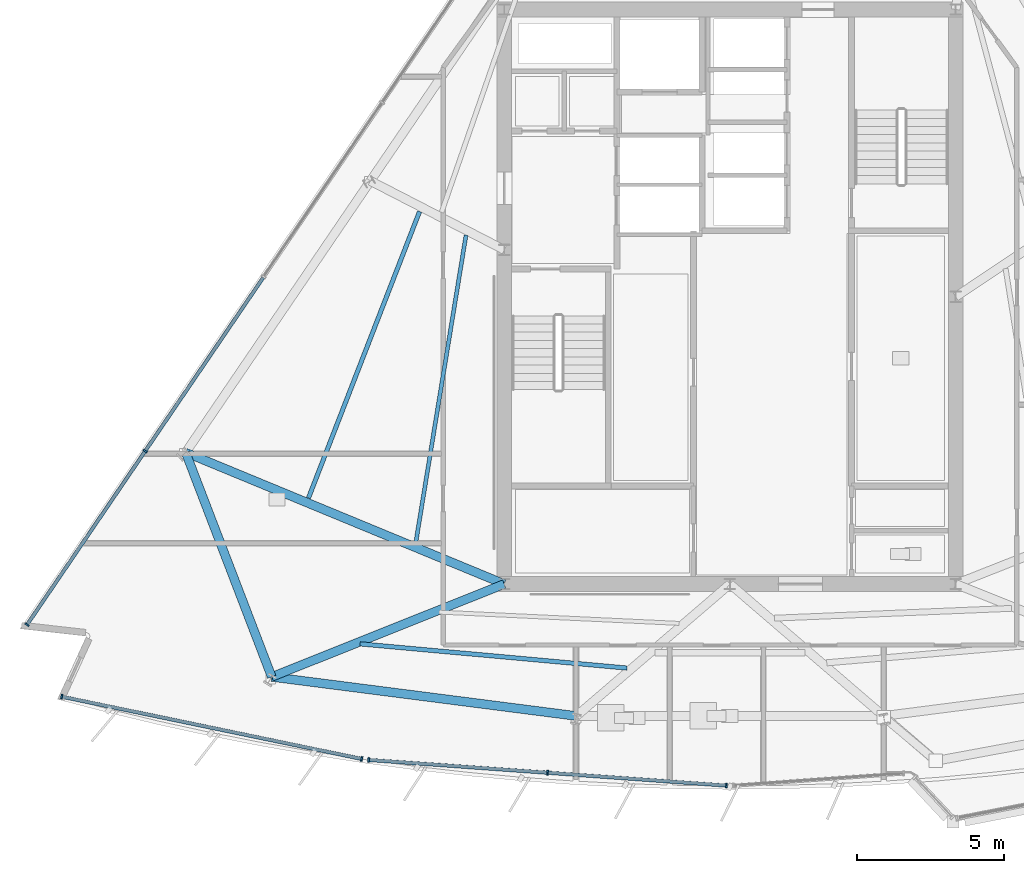
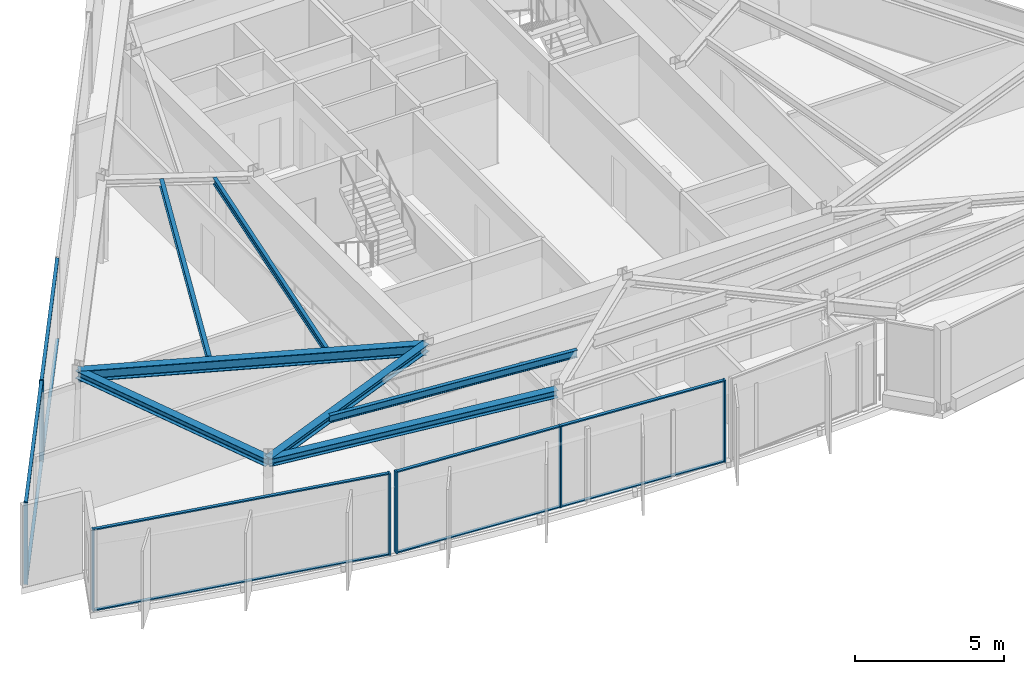
# One storey, part 2 of 12: 17 members, 7 beams, 3 elements without a shape of their own.
"""IFC4 building model written with IfcOpenShell, lengths in metres."""

from ifc_helpers import new_model, si_unit, direction, frame, origin, origin_2d, place, context, subcontext, project, spatial, rectangle, i_section, extrude, material, material_profile, profile_set, type_object, element, aggregate, save


model = new_model("IFC4")

# Units and contexts
model_context = context("Model", 3, precision=1e-05, world=origin(), true_north=direction((0.0, 1.0)))
body_context = subcontext(model_context, "Body", "Model", "MODEL_VIEW")
ifc_project = project(units=[si_unit("LENGTHUNIT", "METRE"), si_unit("AREAUNIT", "SQUARE_METRE"), si_unit("VOLUMEUNIT", "CUBIC_METRE"), si_unit("PLANEANGLEUNIT", "RADIAN"), si_unit("MASSUNIT", "GRAM", prefix="KILO")], contexts=[model_context])

# Site, building, storey
site_placement = place(None, origin())
site = spatial("IfcSite", under=ifc_project, at=site_placement, CompositionType="ELEMENT")
building_placement = place(site_placement, origin())
building = spatial("IfcBuilding", under=site, at=building_placement, Name="Savorim Split Tower", CompositionType="ELEMENT")
storey_placement = place(building_placement, frame((0.0, 0.0, 261.60009765625)))
storey = spatial("IfcBuildingStorey", under=building, at=storey_placement, Name="L69", CompositionType="ELEMENT", Elevation=261.60009765625)

# Beams
ifc_material_1 = material(Name="Steel S355", Category="steel")
ifc_material_profile_1 = material_profile(ifc_material_1, i_section(OverallWidth=0.135009765625, OverallDepth=0.27001953125, WebThickness=0.006591796875, FlangeThickness=0.01025390625, FilletRadius=0.014892578125, at=origin_2d()), Name="IPE 270")
ifc_profile_set_1 = profile_set([ifc_material_profile_1], Name="Steel S355")
beam_type_1 = type_object("IfcBeamType", Name="BM-JST-IPE270", PredefinedType="JOIST", material=ifc_profile_set_1)
beam_1_placement = place(storey_placement, frame((-9.004150390625, 2.50048828125, 3.21484375), z_axis=(-0.16123832498, -0.986915499198, 0.0), x_axis=(0.986915499198, -0.16123832498, 0.0)))
element("IfcBeam", 1, at=beam_1_placement, inside=storey, type_object=beam_type_1, Name="L69 Secondary Floor Joist JS-11", PredefinedType="JOIST", context=body_context, shape_type="SweptSolid", body=[
    extrude(i_section(OverallWidth=0.135009765625, OverallDepth=0.27001953125, WebThickness=0.006591796875, FlangeThickness=0.01025390625, FilletRadius=0.014892578125, at=origin_2d()), origin(), (0.0, 0.0, 1.0), 10.624755859375),
])
ifc_material_profile_2 = material_profile(ifc_material_1, i_section(OverallWidth=0.14990234375, OverallDepth=0.300048828125, WebThickness=0.007080078125, FlangeThickness=0.0107421875, FilletRadius=0.014892578125, at=origin_2d()), Name="IPE 300")
ifc_profile_set_2 = profile_set([ifc_material_profile_2], Name="Steel S355")
beam_type_2 = type_object("IfcBeamType", Name="BM-JST-IPE300", PredefinedType="JOIST", material=ifc_profile_set_2)
beam_2_placement = place(storey_placement, frame((-12.616943359375, -11.44140625, 3.199951171875), z_axis=(0.995915503448, -0.090290143382, 0.0), x_axis=(0.090290143382, 0.995915503448, 0.0)))
element("IfcBeam", 2, at=beam_2_placement, inside=storey, type_object=beam_type_2, Name="L69 Secondary Floor Joist JS-01", PredefinedType="JOIST", context=body_context, shape_type="SweptSolid", body=[
    extrude(i_section(OverallWidth=0.14990234375, OverallDepth=0.300048828125, WebThickness=0.007080078125, FlangeThickness=0.0107421875, FilletRadius=0.014892578125, at=origin_2d()), origin(), (0.0, 0.0, 1.0), 9.14208984375),
])
beam_3_placement = place(storey_placement, frame((-10.588623046875, 3.30908203125, 3.199951171875), z_axis=(-0.361559657541, -0.932348976531, 0.0), x_axis=(0.932348976531, -0.361559657541, 0.0)))
element("IfcBeam", 3, at=beam_3_placement, inside=storey, type_object=beam_type_2, Name="L69 Secondary Floor Joist JS-10", PredefinedType="JOIST", context=body_context, shape_type="SweptSolid", body=[
    extrude(i_section(OverallWidth=0.14990234375, OverallDepth=0.300048828125, WebThickness=0.007080078125, FlangeThickness=0.0107421875, FilletRadius=0.014892578125, at=origin_2d()), origin(), (0.0, 0.0, 1.0), 10.486572265625),
])
ifc_material_profile_3 = material_profile(ifc_material_1, i_section(OverallWidth=0.300048828125, OverallDepth=0.300048828125, WebThickness=0.010986328125, FlangeThickness=0.01904296875, FilletRadius=0.027099609375, at=origin_2d()), Name="HEB 300")
ifc_profile_set_3 = profile_set([ifc_material_profile_3], Name="Steel S355")
beam_type_3 = type_object("IfcBeamType", Name="BM-PRI-HEB300", PredefinedType="BEAM", material=ifc_profile_set_3)
beam_4_placement = place(storey_placement, frame((-15.631591796875, -12.5673828125, 3.199951171875), z_axis=(0.928685513724, 0.370868193027, 0.0), x_axis=(-0.370868193027, 0.928685513724, 0.0)))
element("IfcBeam", 4, at=beam_4_placement, inside=storey, type_object=beam_type_3, Name="L69 Primary Floor Girder RG-01", PredefinedType="BEAM", context=body_context, shape_type="SweptSolid", body=[
    extrude(i_section(OverallWidth=0.300048828125, OverallDepth=0.300048828125, WebThickness=0.010986328125, FlangeThickness=0.01904296875, FilletRadius=0.027099609375, at=origin_2d()), origin(), (0.0, 0.0, 1.0), 8.540771484375),
])
ifc_material_profile_4 = material_profile(ifc_material_1, i_section(OverallWidth=0.300048828125, OverallDepth=0.449951171875, WebThickness=0.013916015625, FlangeThickness=0.02587890625, FilletRadius=0.027099609375, at=origin_2d()), Name="HEB 450")
ifc_profile_set_4 = profile_set([ifc_material_profile_4], Name="Steel S355")
beam_type_4 = type_object("IfcBeamType", Name="BM-PRI-HEB450", PredefinedType="BEAM", material=ifc_profile_set_4)
beam_5_placement = place(storey_placement, frame((-18.567626953125, -4.911865234375, 3.125), z_axis=(0.924284996845, -0.381703084356, 0.0), x_axis=(0.381703084356, 0.924284996845, 0.0)))
element("IfcBeam", 5, at=beam_5_placement, inside=storey, type_object=beam_type_4, Name="L69 Primary Floor Girder RG-10", PredefinedType="BEAM", context=body_context, shape_type="SweptSolid", body=[
    extrude(i_section(OverallWidth=0.300048828125, OverallDepth=0.449951171875, WebThickness=0.013916015625, FlangeThickness=0.02587890625, FilletRadius=0.027099609375, at=origin_2d()), origin(), (0.0, 0.0, 1.0), 11.7578125),
])
ifc_material_profile_5 = material_profile(ifc_material_1, i_section(OverallWidth=0.300048828125, OverallDepth=0.31005859375, WebThickness=0.009033203125, FlangeThickness=0.015380859375, FilletRadius=0.027099609375, at=origin_2d()), Name="HEA 320")
ifc_profile_set_5 = profile_set([ifc_material_profile_5], Name="Steel S355")
beam_type_5 = type_object("IfcBeamType", Name="BM-SPN-HEA320", PredefinedType="SPANDREL", material=ifc_profile_set_5)
beam_6_placement = place(storey_placement, frame((-15.631591796875, -12.5673828125, 3.19482421875), z_axis=(0.991856475874, -0.127360634682, 0.0), x_axis=(0.127360634682, 0.991856475874, 0.0)))
element("IfcBeam", 6, at=beam_6_placement, inside=storey, type_object=beam_type_5, Name="L69 Perimeter Spandrel Beam 1", PredefinedType="SPANDREL", context=body_context, shape_type="SweptSolid", body=[
    extrude(i_section(OverallWidth=0.300048828125, OverallDepth=0.31005859375, WebThickness=0.009033203125, FlangeThickness=0.015380859375, FilletRadius=0.027099609375, at=origin_2d()), origin(), (0.0, 0.0, 1.0), 10.477783203125),
])
beam_7_placement = place(storey_placement, frame((-18.567626953125, -4.911865234375, 3.19482421875), z_axis=(0.358087014678, -0.933688218796, 0.0), x_axis=(0.933688218796, 0.358087014678, 0.0)))
element("IfcBeam", 7, at=beam_7_placement, inside=storey, type_object=beam_type_5, Name="L69 Perimeter Spandrel Beam 10", PredefinedType="SPANDREL", context=body_context, shape_type="SweptSolid", body=[
    extrude(i_section(OverallWidth=0.300048828125, OverallDepth=0.31005859375, WebThickness=0.009033203125, FlangeThickness=0.015380859375, FilletRadius=0.027099609375, at=origin_2d()), origin(), (0.0, 0.0, 1.0), 8.19921875),
])

# Curtain wall, members
ifc_material_2 = material(Name="Dark Ceramic-Fritted Insulated Glass", Category="glass")
curtain_wall_type = type_object("IfcCurtainWallType", Name="CW-TWR-FRIT-B", PredefinedType="NOTDEFINED", material=ifc_material_2)
curtain_wall_1_placement = place(storey_placement, origin())
curtain_wall_1 = element("IfcCurtainWall", 8, at=curtain_wall_1_placement, inside=storey, type_object=curtain_wall_type, Name="L69 Curtain Wall CW-L69-SF1A", PredefinedType="NOTDEFINED")
ifc_material_3 = material(Name="Charcoal Anodised Aluminium", Category="aluminium")
ifc_material_profile_6 = material_profile(ifc_material_3, rectangle(XDim=0.159912109375, YDim=0.06005859375, at=origin_2d()), Name="ALU-M 160x60")
ifc_profile_set_6 = profile_set([ifc_material_profile_6], Name="Charcoal Anodised Aluminium")
member_type_1 = type_object("IfcMemberType", Name="CWM-160x60", PredefinedType="MULLION", material=ifc_profile_set_6)
member_1_placement = place(storey_placement, frame((-22.79541015625, -13.24169921875, 0.0), z_axis=(0.0, 0.0, 1.0), x_axis=(0.20321026105, 0.979135123364, 0.0)))
member_1 = element("IfcMember", 9, at=member_1_placement, type_object=member_type_1, Name="CW-03 mullion 1", PredefinedType="MULLION", context=body_context, shape_type="SweptSolid", body=[
    extrude(rectangle(XDim=0.159912109375, YDim=0.06005859375, at=origin_2d()), origin(), (0.0, 0.0, 1.0), 3.349853515625),
])
member_2_placement = place(storey_placement, frame((-12.563232421875, -15.365234375, 0.0), z_axis=(0.0, 0.0, 1.0), x_axis=(0.20321026105, 0.979135123364, 0.0)))
member_2 = element("IfcMember", 10, at=member_2_placement, type_object=member_type_1, Name="CW-03 mullion 2", PredefinedType="MULLION", context=body_context, shape_type="SweptSolid", body=[
    extrude(rectangle(XDim=0.159912109375, YDim=0.06005859375, at=origin_2d()), origin(), (0.0, 0.0, 1.0), 3.349853515625),
])

curtain_wall_2_placement = place(storey_placement, origin())
curtain_wall_2 = element("IfcCurtainWall", 11, at=curtain_wall_2_placement, inside=storey, type_object=curtain_wall_type, Name="L69 Curtain Wall CW-L69-SF2A", PredefinedType="NOTDEFINED")
member_3_placement = place(storey_placement, frame((-12.322265625, -15.39892578125, 0.0), z_axis=(0.0, 0.0, 1.0), x_axis=(0.071564439004, 0.997435978432, 0.0)))
member_3 = element("IfcMember", 12, at=member_3_placement, type_object=member_type_1, Name="CW-03 mullion 1", PredefinedType="MULLION", context=body_context, shape_type="SweptSolid", body=[
    extrude(rectangle(XDim=0.159912109375, YDim=0.06005859375, at=origin_2d()), origin(), (0.0, 0.0, 1.0), 3.349853515625),
])
member_4_placement = place(storey_placement, frame((-6.2216796875, -15.836669921875, 0.0), z_axis=(0.0, 0.0, 1.0), x_axis=(0.071564439004, 0.997435978432, 0.0)))
member_4 = element("IfcMember", 13, at=member_4_placement, type_object=member_type_1, Name="CW-03 mullion 2", PredefinedType="MULLION", context=body_context, shape_type="SweptSolid", body=[
    extrude(rectangle(XDim=0.159912109375, YDim=0.06005859375, at=origin_2d()), origin(), (0.0, 0.0, 1.0), 3.349853515625),
])
member_5_placement = place(storey_placement, frame((-0.12109375, -16.274169921875, 0.0), z_axis=(0.0, 0.0, 1.0), x_axis=(0.071564439004, 0.997435978432, 0.0)))
member_5 = element("IfcMember", 14, at=member_5_placement, type_object=member_type_1, Name="CW-03 mullion 3", PredefinedType="MULLION", context=body_context, shape_type="SweptSolid", body=[
    extrude(rectangle(XDim=0.159912109375, YDim=0.06005859375, at=origin_2d()), origin(), (0.0, 0.0, 1.0), 3.349853515625),
])

curtain_wall_3_placement = place(storey_placement, origin())
curtain_wall_3 = element("IfcCurtainWall", 15, at=curtain_wall_3_placement, inside=storey, type_object=curtain_wall_type, Name="L69 Curtain Wall CW-L69-WEST", PredefinedType="NOTDEFINED")
member_6_placement = place(storey_placement, frame((-19.951904296875, -4.8671875, 0.0), z_axis=(0.0, 0.0, 1.0), x_axis=(0.826817472755, -0.562470325215, 0.0)))
member_6 = element("IfcMember", 16, at=member_6_placement, type_object=member_type_1, Name="CW-03 mullion 4", PredefinedType="MULLION", context=body_context, shape_type="SweptSolid", body=[
    extrude(rectangle(XDim=0.159912109375, YDim=0.06005859375, at=origin_2d()), origin(), (0.0, 0.0, 1.0), 3.349853515625),
])
member_7_placement = place(storey_placement, frame((-23.97998046875, -10.78857421875, 0.0), z_axis=(0.0, 0.0, 1.0), x_axis=(0.826817472755, -0.562470325215, 0.0)))
member_7 = element("IfcMember", 17, at=member_7_placement, type_object=member_type_1, Name="CW-03 mullion 5", PredefinedType="MULLION", context=body_context, shape_type="SweptSolid", body=[
    extrude(rectangle(XDim=0.159912109375, YDim=0.06005859375, at=origin_2d()), origin(), (0.0, 0.0, 1.0), 3.349853515625),
])

# Member
ifc_material_profile_7 = material_profile(ifc_material_3, rectangle(XDim=0.1201171875, YDim=0.050048828125, at=origin_2d()), Name="ALU-T 120x50")
ifc_profile_set_7 = profile_set([ifc_material_profile_7], Name="Charcoal Anodised Aluminium")
member_type_2 = type_object("IfcMemberType", Name="CWT-120x50", PredefinedType="USERDEFINED", material=ifc_profile_set_7)
member_8_placement = place(storey_placement, frame((-22.76611328125, -13.247802734375, 0.02490234375), z_axis=(0.979137101237, -0.20320073076, 0.0), x_axis=(0.20320073076, 0.979137101237, 0.0)))
member_8 = element("IfcMember", 18, at=member_8_placement, type_object=member_type_2, Name="CW-03 transom 1.1", ObjectType="TRANSOM", PredefinedType="USERDEFINED", context=body_context, shape_type="SweptSolid", body=[
    extrude(rectangle(XDim=0.1201171875, YDim=0.050048828125, at=origin_2d()), origin(), (0.0, 0.0, 1.0), 10.390380859375),
])

member_9_placement = place(storey_placement, frame((-22.76611328125, -13.247802734375, 3.324951171875), z_axis=(0.979137101237, -0.20320073076, 0.0), x_axis=(0.20320073076, 0.979137101237, 0.0)))
member_9 = element("IfcMember", 19, at=member_9_placement, type_object=member_type_2, Name="CW-03 transom 1.2", ObjectType="TRANSOM", PredefinedType="USERDEFINED", context=body_context, shape_type="SweptSolid", body=[
    extrude(rectangle(XDim=0.1201171875, YDim=0.050048828125, at=origin_2d()), origin(), (0.0, 0.0, 1.0), 10.390380859375),
])

aggregate(curtain_wall_1, [member_1, member_2, member_8, member_9])

member_10_placement = place(storey_placement, frame((-12.292236328125, -15.40087890625, 0.02490234375), z_axis=(0.997433879583, -0.071593685897, 0.0), x_axis=(0.071593685897, 0.997433879583, 0.0)))
member_10 = element("IfcMember", 20, at=member_10_placement, type_object=member_type_2, Name="CW-03 transom 1.1", ObjectType="TRANSOM", PredefinedType="USERDEFINED", context=body_context, shape_type="SweptSolid", body=[
    extrude(rectangle(XDim=0.1201171875, YDim=0.050048828125, at=origin_2d()), origin(), (0.0, 0.0, 1.0), 6.056396484375),
])

member_11_placement = place(storey_placement, frame((-12.292236328125, -15.40087890625, 3.324951171875), z_axis=(0.997433879583, -0.071593685897, 0.0), x_axis=(0.071593685897, 0.997433879583, 0.0)))
member_11 = element("IfcMember", 21, at=member_11_placement, type_object=member_type_2, Name="CW-03 transom 1.2", ObjectType="TRANSOM", PredefinedType="USERDEFINED", context=body_context, shape_type="SweptSolid", body=[
    extrude(rectangle(XDim=0.1201171875, YDim=0.050048828125, at=origin_2d()), origin(), (0.0, 0.0, 1.0), 6.056396484375),
])

member_12_placement = place(storey_placement, frame((-6.191650390625, -15.838623046875, 0.02490234375), z_axis=(0.997433672946, -0.071596564674, 0.0), x_axis=(0.071596564674, 0.997433672946, 0.0)))
member_12 = element("IfcMember", 22, at=member_12_placement, type_object=member_type_2, Name="CW-03 transom 2.1", ObjectType="TRANSOM", PredefinedType="USERDEFINED", context=body_context, shape_type="SweptSolid", body=[
    extrude(rectangle(XDim=0.1201171875, YDim=0.050048828125, at=origin_2d()), origin(), (0.0, 0.0, 1.0), 6.05615234375),
])

member_13_placement = place(storey_placement, frame((-6.191650390625, -15.838623046875, 3.324951171875), z_axis=(0.997433672946, -0.071596564674, 0.0), x_axis=(0.071596564674, 0.997433672946, 0.0)))
member_13 = element("IfcMember", 23, at=member_13_placement, type_object=member_type_2, Name="CW-03 transom 2.2", ObjectType="TRANSOM", PredefinedType="USERDEFINED", context=body_context, shape_type="SweptSolid", body=[
    extrude(rectangle(XDim=0.1201171875, YDim=0.050048828125, at=origin_2d()), origin(), (0.0, 0.0, 1.0), 6.05615234375),
])

aggregate(curtain_wall_2, [member_3, member_4, member_5, member_10, member_11, member_12, member_13])

member_14_placement = place(storey_placement, frame((-15.923828125, 1.053955078125, 0.02490234375), z_axis=(-0.562465450543, -0.826820788893, 0.0), x_axis=(0.826820788893, -0.562465450543, 0.0)))
member_14 = element("IfcMember", 24, at=member_14_placement, type_object=member_type_2, Name="CW-03 transom 3.1", ObjectType="TRANSOM", PredefinedType="USERDEFINED", context=body_context, shape_type="SweptSolid", body=[
    extrude(rectangle(XDim=0.1201171875, YDim=0.050048828125, at=origin_2d()), origin(), (0.0, 0.0, 1.0), 7.131591796875),
])

member_15_placement = place(storey_placement, frame((-15.923828125, 1.053955078125, 3.324951171875), z_axis=(-0.562465450543, -0.826820788893, 0.0), x_axis=(0.826820788893, -0.562465450543, 0.0)))
member_15 = element("IfcMember", 25, at=member_15_placement, type_object=member_type_2, Name="CW-03 transom 3.2", ObjectType="TRANSOM", PredefinedType="USERDEFINED", context=body_context, shape_type="SweptSolid", body=[
    extrude(rectangle(XDim=0.1201171875, YDim=0.050048828125, at=origin_2d()), origin(), (0.0, 0.0, 1.0), 7.131591796875),
])

member_16_placement = place(storey_placement, frame((-19.96875, -4.89208984375, 0.02490234375), z_axis=(-0.562474570512, -0.826814584733, 0.0), x_axis=(0.826814584733, -0.562474570512, 0.0)))
member_16 = element("IfcMember", 26, at=member_16_placement, type_object=member_type_2, Name="CW-03 transom 4.1", ObjectType="TRANSOM", PredefinedType="USERDEFINED", context=body_context, shape_type="SweptSolid", body=[
    extrude(rectangle(XDim=0.1201171875, YDim=0.050048828125, at=origin_2d()), origin(), (0.0, 0.0, 1.0), 7.1015625),
])

member_17_placement = place(storey_placement, frame((-19.96875, -4.89208984375, 3.324951171875), z_axis=(-0.562474570512, -0.826814584733, 0.0), x_axis=(0.826814584733, -0.562474570512, 0.0)))
member_17 = element("IfcMember", 27, at=member_17_placement, type_object=member_type_2, Name="CW-03 transom 4.2", ObjectType="TRANSOM", PredefinedType="USERDEFINED", context=body_context, shape_type="SweptSolid", body=[
    extrude(rectangle(XDim=0.1201171875, YDim=0.050048828125, at=origin_2d()), origin(), (0.0, 0.0, 1.0), 7.1015625),
])

aggregate(curtain_wall_3, [member_6, member_7, member_14, member_15, member_16, member_17])

save(model, "model.ifc")
